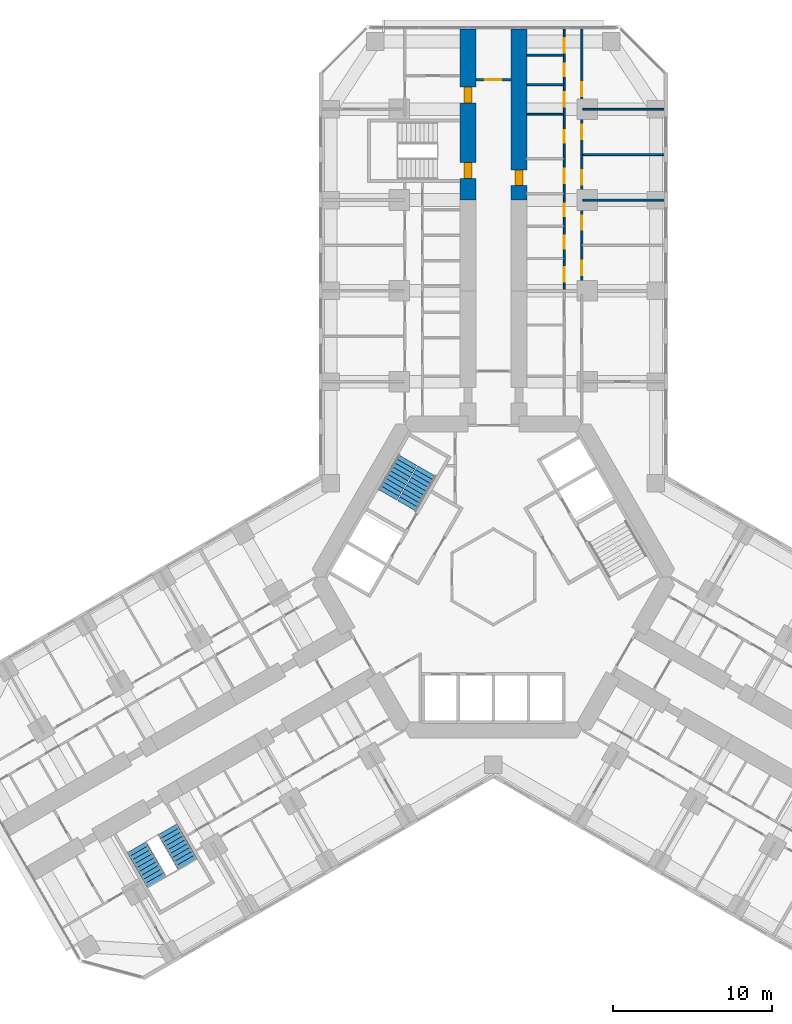
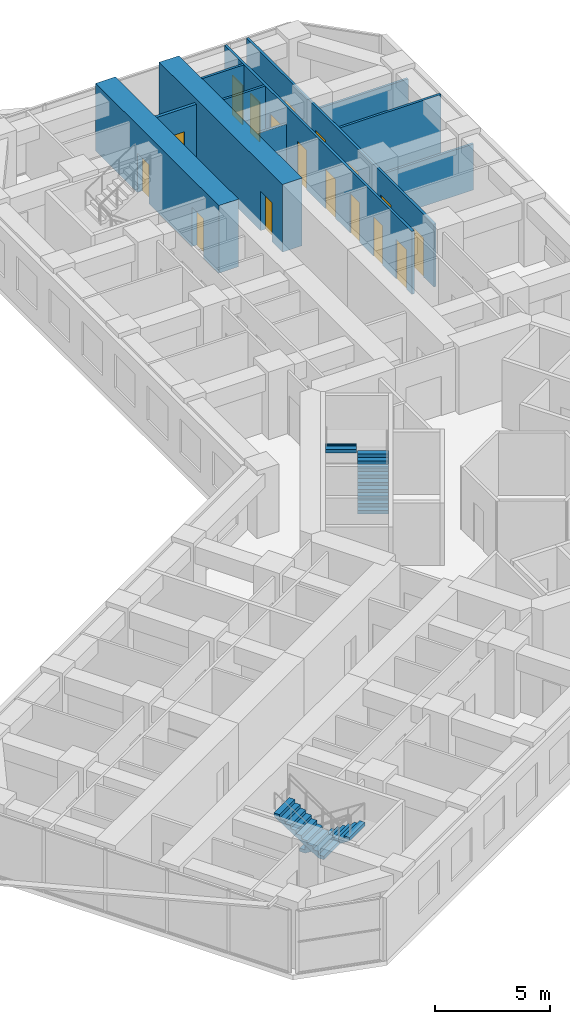
# One storey, part 19 of 21: 17 doors, 11 walls, 4 stair flights, 17 openings, 2 elements without a shape of their own.
"""IFC4 building model written with IfcOpenShell, lengths in metres."""

from ifc_helpers import new_model, si_unit, direction, frame, frame_2d, origin, place, context, subcontext, project, spatial, polyline, rectangle, outline, extrude, material, layer, layer_set, type_object, element, fill, aggregate, save


model = new_model("IFC4")

# Units and contexts
model_context = context("Model", 3, precision=1e-05, world=origin(), true_north=direction((0.0, 1.0)))
body_context = subcontext(model_context, "Body", "Model", "MODEL_VIEW")
ifc_project = project(units=[si_unit("LENGTHUNIT", "METRE"), si_unit("AREAUNIT", "SQUARE_METRE"), si_unit("VOLUMEUNIT", "CUBIC_METRE"), si_unit("PLANEANGLEUNIT", "RADIAN"), si_unit("MASSUNIT", "GRAM", prefix="KILO")], contexts=[model_context])

# Site, building, storey
site_placement = place(None, origin())
site = spatial("IfcSite", under=ifc_project, at=site_placement, CompositionType="ELEMENT")
building_placement = place(site_placement, origin())
building = spatial("IfcBuilding", under=site, at=building_placement, Name="Kosmar Iwan School Tower", CompositionType="ELEMENT")
storey_placement = place(building_placement, frame((0.0, 0.0, 39.39990234375)))
storey = spatial("IfcBuildingStorey", under=building, at=storey_placement, Name="L08", CompositionType="ELEMENT", Elevation=39.39990234375)

# Wall, openings, doors
ifc_material_1 = material(Name="Concrete C50/60", Category="concrete")
ifc_layer_1 = layer(ifc_material_1, 1.0)
ifc_layer_set_1 = layer_set([ifc_layer_1], Name="Corridor buttress wall 1000")
wall_type_1 = type_object("IfcWallType", Name="Corridor buttress wall 1000", PredefinedType="SHEAR", material=ifc_layer_set_1)
wall_1_placement = place(storey_placement, frame((-1.60009765625, 23.64990234375, 0.0), z_axis=(0.0, 0.0, 1.0), x_axis=(0.0, 1.0, 0.0)))
wall_1 = element("IfcWall", 1, at=wall_1_placement, inside=storey, type_object=wall_type_1, Name="Corridor wall AL bay 3", PredefinedType="SHEAR", context=body_context, shape_type="SweptSolid", body=[
    extrude(rectangle(XDim=10.7451171875, YDim=1.0, at=frame_2d((5.37255859375, 0.0))), origin(), (0.0, 0.0, 1.0), 3.60009765625),
])
opening_1_placement = place(wall_1_placement, frame((6.10009765625, 0.0, 0.0)))
opening_1 = element("IfcOpeningElement", 2, at=opening_1_placement, cuts=wall_1, Name="Opening D1", PredefinedType="OPENING", context=body_context, shape_type="SweptSolid", body=[
    extrude(rectangle(XDim=1.0, YDim=2.10009765625, at=frame_2d((0.5, 1.050048828125))), frame((0.0, 0.511962890625, 0.0), z_axis=(0.0, -1.0, 0.0), x_axis=(1.0, 0.0, 0.0)), (0.0, 0.0, 1.0), 1.02392578125),
])
opening_2_placement = place(wall_1_placement, frame((1.35009765625, 0.0, 0.0)))
opening_2 = element("IfcOpeningElement", 3, at=opening_2_placement, cuts=wall_1, Name="Opening D6", PredefinedType="OPENING", context=body_context, shape_type="SweptSolid", body=[
    extrude(rectangle(XDim=1.0, YDim=2.10009765625, at=frame_2d((0.5, 1.050048828125))), frame((0.0, 0.511962890625, 0.0), z_axis=(0.0, -1.0, 0.0), x_axis=(1.0, 0.0, 0.0)), (0.0, 0.0, 1.0), 1.02392578125),
])
ifc_material_2 = material(Name="Timber fire door in steel frame", Category="steel")
door_type_1 = type_object("IfcDoorType", Name="Flat entrance door 1000x2100", OperationType="SINGLE_SWING_LEFT", PredefinedType="DOOR", material=ifc_material_2)
door_1_placement = place(opening_1_placement, origin())
door_1 = element("IfcDoor", 4, at=door_1_placement, inside=storey, type_object=door_type_1, Name="Flat L08-AL2 entrance door", OperationType="SINGLE_SWING_RIGHT", OverallHeight=2.10009765625, OverallWidth=1.0, PredefinedType="DOOR", context=body_context, shape_type="SweptSolid", body=[
    extrude(rectangle(XDim=1.0, YDim=2.10009765625, at=frame_2d((0.5, 1.050048828125))), frame((0.0, 0.25, 0.0), z_axis=(0.0, -1.0, 0.0), x_axis=(1.0, 0.0, 0.0)), (0.0, 0.0, 1.0), 0.5),
])
fill(opening_1, door_1)
ifc_material_3 = material(Name="Steel fire door", Category="steel")
door_type_2 = type_object("IfcDoorType", Name="Stair door 1000x2100", OperationType="SINGLE_SWING_LEFT", PredefinedType="DOOR", material=ifc_material_3)
door_2_placement = place(opening_2_placement, origin())
door_2 = element("IfcDoor", 5, at=door_2_placement, inside=storey, type_object=door_type_2, Name="Stair WS1 door L08", OperationType="SINGLE_SWING_LEFT", OverallHeight=2.10009765625, OverallWidth=1.0, PredefinedType="DOOR", context=body_context, shape_type="SweptSolid", body=[
    extrude(rectangle(XDim=1.0, YDim=2.10009765625, at=frame_2d((0.5, 1.050048828125))), frame((0.0, 0.25, 0.0), z_axis=(0.0, -1.0, 0.0), x_axis=(1.0, 0.0, 0.0)), (0.0, 0.0, 1.0), 0.5),
])
fill(opening_2, door_2)

# Wall, opening, door
wall_2_placement = place(storey_placement, frame((1.60009765625, 23.64990234375, 0.0), z_axis=(0.0, 0.0, 1.0), x_axis=(0.0, 1.0, 0.0)))
wall_2 = element("IfcWall", 6, at=wall_2_placement, inside=storey, type_object=wall_type_1, Name="Corridor wall AR bay 3", PredefinedType="SHEAR", context=body_context, shape_type="SweptSolid", body=[
    extrude(rectangle(XDim=10.7451171875, YDim=1.0, at=frame_2d((5.37255859375, 0.0))), origin(), (0.0, 0.0, 1.0), 3.60009765625),
])
opening_3_placement = place(wall_2_placement, frame((0.89990234375, 0.0, 0.0)))
opening_3 = element("IfcOpeningElement", 7, at=opening_3_placement, cuts=wall_2, Name="Opening D1", PredefinedType="OPENING", context=body_context, shape_type="SweptSolid", body=[
    extrude(rectangle(XDim=1.0, YDim=2.10009765625, at=frame_2d((0.5, 1.050048828125))), frame((0.0, 0.511962890625, 0.0), z_axis=(0.0, -1.0, 0.0), x_axis=(1.0, 0.0, 0.0)), (0.0, 0.0, 1.0), 1.02392578125),
])
door_3_placement = place(opening_3_placement, origin())
door_3 = element("IfcDoor", 8, at=door_3_placement, inside=storey, type_object=door_type_1, Name="Flat L08-AR2 entrance door", OperationType="SINGLE_SWING_LEFT", OverallHeight=2.10009765625, OverallWidth=1.0, PredefinedType="DOOR", context=body_context, shape_type="SweptSolid", body=[
    extrude(rectangle(XDim=1.0, YDim=2.10009765625, at=frame_2d((0.5, 1.050048828125))), frame((0.0, 0.25, 0.0), z_axis=(0.0, -1.0, 0.0), x_axis=(1.0, 0.0, 0.0)), (0.0, 0.0, 1.0), 0.5),
])
fill(opening_3, door_3)

ifc_material_4 = material(Name="Gypsum board on steel studs, fire-rated", Category="steel")
ifc_layer_2 = layer(ifc_material_4, 0.14990234375)
ifc_layer_set_2 = layer_set([ifc_layer_2], Name="Corridor end wall 150")
wall_type_2 = type_object("IfcWallType", Name="Corridor end wall 150", PredefinedType="PARTITIONING", material=ifc_layer_set_2)
wall_3_placement = place(storey_placement, frame((1.10009765625, 31.199951171875, 0.0), z_axis=(0.0, 0.0, 1.0), x_axis=(-1.0, 0.0, 0.0)))
wall_3 = element("IfcWall", 9, at=wall_3_placement, inside=storey, type_object=wall_type_2, Name="Partition L08-A-CE", PredefinedType="PARTITIONING", context=body_context, shape_type="SweptSolid", body=[
    extrude(rectangle(XDim=2.2001953125, YDim=0.14990234375, at=frame_2d((1.10009765625, 0.0))), origin(), (0.0, 0.0, 1.0), 3.35009765625),
])
opening_4_placement = place(wall_3_placement, frame((0.60009765625, 0.0, 0.0)))
opening_4 = element("IfcOpeningElement", 10, at=opening_4_placement, cuts=wall_3, Name="Opening D13", PredefinedType="OPENING", context=body_context, shape_type="SweptSolid", body=[
    extrude(rectangle(XDim=1.0, YDim=2.10009765625, at=frame_2d((0.5, 1.050048828125))), frame((0.0, 0.0869140625, 0.0), z_axis=(0.0, -1.0, 0.0), x_axis=(1.0, 0.0, 0.0)), (0.0, 0.0, 1.0), 0.173828125),
])
ifc_material_5 = material(Name="Timber fire door with vision panel", Category="wood")
door_type_3 = type_object("IfcDoorType", Name="Corridor end door 1000x2100", OperationType="SINGLE_SWING_LEFT", PredefinedType="DOOR", material=ifc_material_5)
door_4_placement = place(opening_4_placement, origin())
door_4 = element("IfcDoor", 11, at=door_4_placement, inside=storey, type_object=door_type_3, Name="Family study room door L08-A", OperationType="SINGLE_SWING_LEFT", OverallHeight=2.10009765625, OverallWidth=1.0, PredefinedType="DOOR", context=body_context, shape_type="SweptSolid", body=[
    extrude(rectangle(XDim=1.0, YDim=2.10009765625, at=frame_2d((0.5, 1.050048828125))), frame((0.0, 0.02490234375, 0.0), z_axis=(0.0, -1.0, 0.0), x_axis=(1.0, 0.0, 0.0)), (0.0, 0.0, 1.0), 0.050048828125),
])
fill(opening_4, door_4)

# Wall, openings, doors
ifc_material_6 = material(Name="Gypsum board on steel studs", Category="steel")
ifc_layer_3 = layer(ifc_material_6, 0.1201171875)
ifc_layer_set_3 = layer_set([ifc_layer_3], Name="Dwelling partition 120")
wall_type_3 = type_object("IfcWallType", Name="Dwelling partition 120", PredefinedType="PARTITIONING", material=ifc_layer_set_3)
wall_4_placement = place(storey_placement, frame((4.449951171875, 18.050048828125, 0.0), z_axis=(0.0, 0.0, 1.0), x_axis=(0.0, 1.0, 0.0)))
wall_4 = element("IfcWall", 12, at=wall_4_placement, inside=storey, type_object=wall_type_3, Name="Partition L08-AR2-W1", PredefinedType="PARTITIONING", context=body_context, shape_type="SweptSolid", body=[
    extrude(rectangle(XDim=16.344970703125, YDim=0.1201171875, at=frame_2d((8.17236328125, 0.0))), origin(), (0.0, 0.0, 1.0), 3.35009765625),
])
opening_5_placement = place(wall_4_placement, frame((0.466796875, 0.0, 0.0)))
opening_5 = element("IfcOpeningElement", 13, at=opening_5_placement, cuts=wall_4, Name="Opening D2", PredefinedType="OPENING", context=body_context, shape_type="SweptSolid", body=[
    extrude(rectangle(XDim=0.89990234375, YDim=2.10009765625, at=frame_2d((0.449951171875, 1.050048828125))), frame((0.0, 0.072021484375, 0.0), z_axis=(0.0, -1.0, 0.0), x_axis=(1.0, 0.0, 0.0)), (0.0, 0.0, 1.0), 0.14404296875),
])
opening_6_placement = place(wall_4_placement, frame((2.550048828125, 0.0, 0.0)))
opening_6 = element("IfcOpeningElement", 14, at=opening_6_placement, cuts=wall_4, Name="Opening D3", PredefinedType="OPENING", context=body_context, shape_type="SweptSolid", body=[
    extrude(rectangle(XDim=0.800048828125, YDim=2.10009765625, at=frame_2d((0.39990234375, 1.050048828125))), frame((0.0, 0.072021484375, 0.0), z_axis=(0.0, -1.0, 0.0), x_axis=(1.0, 0.0, 0.0)), (0.0, 0.0, 1.0), 0.14404296875),
])
opening_7_placement = place(wall_4_placement, frame((4.583251953125, 0.0, 0.0)))
opening_7 = element("IfcOpeningElement", 15, at=opening_7_placement, cuts=wall_4, Name="Opening D3", PredefinedType="OPENING", context=body_context, shape_type="SweptSolid", body=[
    extrude(rectangle(XDim=0.800048828125, YDim=2.10009765625, at=frame_2d((0.39990234375, 1.050048828125))), frame((0.0, 0.072021484375, 0.0), z_axis=(0.0, -1.0, 0.0), x_axis=(1.0, 0.0, 0.0)), (0.0, 0.0, 1.0), 0.14404296875),
])
opening_8_placement = place(wall_4_placement, frame((6.64990234375, 0.0, 0.0)))
opening_8 = element("IfcOpeningElement", 16, at=opening_8_placement, cuts=wall_4, Name="Opening D2", PredefinedType="OPENING", context=body_context, shape_type="SweptSolid", body=[
    extrude(rectangle(XDim=0.89990234375, YDim=2.10009765625, at=frame_2d((0.449951171875, 1.050048828125))), frame((0.0, 0.072021484375, 0.0), z_axis=(0.0, -1.0, 0.0), x_axis=(1.0, 0.0, 0.0)), (0.0, 0.0, 1.0), 0.14404296875),
])
opening_9_placement = place(wall_4_placement, frame((9.191650390625, 0.0, 0.0)))
opening_9 = element("IfcOpeningElement", 17, at=opening_9_placement, cuts=wall_4, Name="Opening D3", PredefinedType="OPENING", context=body_context, shape_type="SweptSolid", body=[
    extrude(rectangle(XDim=0.800048828125, YDim=2.10009765625, at=frame_2d((0.39990234375, 1.050048828125))), frame((0.0, 0.072021484375, 0.0), z_axis=(0.0, -1.0, 0.0), x_axis=(1.0, 0.0, 0.0)), (0.0, 0.0, 1.0), 0.14404296875),
])
opening_10_placement = place(wall_4_placement, frame((11.461181640625, 0.0, 0.0)))
opening_10 = element("IfcOpeningElement", 18, at=opening_10_placement, cuts=wall_4, Name="Opening D2", PredefinedType="OPENING", context=body_context, shape_type="SweptSolid", body=[
    extrude(rectangle(XDim=0.89990234375, YDim=2.10009765625, at=frame_2d((0.449951171875, 1.050048828125))), frame((0.0, 0.072021484375, 0.0), z_axis=(0.0, -1.0, 0.0), x_axis=(1.0, 0.0, 0.0)), (0.0, 0.0, 1.0), 0.14404296875),
])
opening_11_placement = place(wall_4_placement, frame((13.36669921875, 0.0, 0.0)))
opening_11 = element("IfcOpeningElement", 19, at=opening_11_placement, cuts=wall_4, Name="Opening D3", PredefinedType="OPENING", context=body_context, shape_type="SweptSolid", body=[
    extrude(rectangle(XDim=0.800048828125, YDim=2.10009765625, at=frame_2d((0.39990234375, 1.050048828125))), frame((0.0, 0.072021484375, 0.0), z_axis=(0.0, -1.0, 0.0), x_axis=(1.0, 0.0, 0.0)), (0.0, 0.0, 1.0), 0.14404296875),
])
opening_12_placement = place(wall_4_placement, frame((14.8544921875, 0.0, 0.0)))
opening_12 = element("IfcOpeningElement", 20, at=opening_12_placement, cuts=wall_4, Name="Opening D2", PredefinedType="OPENING", context=body_context, shape_type="SweptSolid", body=[
    extrude(rectangle(XDim=0.89990234375, YDim=2.10009765625, at=frame_2d((0.449951171875, 1.050048828125))), frame((0.0, 0.072021484375, 0.0), z_axis=(0.0, -1.0, 0.0), x_axis=(1.0, 0.0, 0.0)), (0.0, 0.0, 1.0), 0.14404296875),
])
ifc_material_7 = material(Name="Timber door in timber frame", Category="wood")
door_type_4 = type_object("IfcDoorType", Name="Internal door 900x2100", OperationType="SINGLE_SWING_LEFT", PredefinedType="DOOR", material=ifc_material_7)
door_5_placement = place(opening_5_placement, origin())
door_5 = element("IfcDoor", 21, at=door_5_placement, inside=storey, type_object=door_type_4, Name="Utility room door L08-AR2-S1", OperationType="SINGLE_SWING_LEFT", OverallHeight=2.10009765625, OverallWidth=0.89990234375, PredefinedType="DOOR", context=body_context, shape_type="SweptSolid", body=[
    extrude(rectangle(XDim=0.89990234375, YDim=2.10009765625, at=frame_2d((0.449951171875, 1.050048828125))), frame((0.0, 0.02490234375, 0.0), z_axis=(0.0, -1.0, 0.0), x_axis=(1.0, 0.0, 0.0)), (0.0, 0.0, 1.0), 0.050048828125),
])
fill(opening_5, door_5)
door_6_placement = place(opening_8_placement, origin())
door_6 = element("IfcDoor", 22, at=door_6_placement, inside=storey, type_object=door_type_4, Name="Entrance hall door L08-AR2-S4", OperationType="SINGLE_SWING_RIGHT", OverallHeight=2.10009765625, OverallWidth=0.89990234375, PredefinedType="DOOR", context=body_context, shape_type="SweptSolid", body=[
    extrude(rectangle(XDim=0.89990234375, YDim=2.10009765625, at=frame_2d((0.449951171875, 1.050048828125))), frame((0.0, 0.02490234375, 0.0), z_axis=(0.0, -1.0, 0.0), x_axis=(1.0, 0.0, 0.0)), (0.0, 0.0, 1.0), 0.050048828125),
])
fill(opening_8, door_6)
door_7_placement = place(opening_10_placement, origin())
door_7 = element("IfcDoor", 23, at=door_7_placement, inside=storey, type_object=door_type_4, Name="Pantry door L08-AR2-S6", OperationType="SINGLE_SWING_RIGHT", OverallHeight=2.10009765625, OverallWidth=0.89990234375, PredefinedType="DOOR", context=body_context, shape_type="SweptSolid", body=[
    extrude(rectangle(XDim=0.89990234375, YDim=2.10009765625, at=frame_2d((0.449951171875, 1.050048828125))), frame((0.0, 0.02490234375, 0.0), z_axis=(0.0, -1.0, 0.0), x_axis=(1.0, 0.0, 0.0)), (0.0, 0.0, 1.0), 0.050048828125),
])
fill(opening_10, door_7)
door_8_placement = place(opening_12_placement, origin())
door_8 = element("IfcDoor", 24, at=door_8_placement, inside=storey, type_object=door_type_4, Name="Dressing room door L08-AR2-S8", OperationType="SINGLE_SWING_LEFT", OverallHeight=2.10009765625, OverallWidth=0.89990234375, PredefinedType="DOOR", context=body_context, shape_type="SweptSolid", body=[
    extrude(rectangle(XDim=0.89990234375, YDim=2.10009765625, at=frame_2d((0.449951171875, 1.050048828125))), frame((0.0, 0.02490234375, 0.0), z_axis=(0.0, -1.0, 0.0), x_axis=(1.0, 0.0, 0.0)), (0.0, 0.0, 1.0), 0.050048828125),
])
fill(opening_12, door_8)
ifc_material_8 = material(Name="Timber door in timber frame", Category="wood")
door_type_5 = type_object("IfcDoorType", Name="Sanitary room door 800x2100", OperationType="SINGLE_SWING_LEFT", PredefinedType="DOOR", material=ifc_material_8)
door_9_placement = place(opening_6_placement, origin())
door_9 = element("IfcDoor", 25, at=door_9_placement, inside=storey, type_object=door_type_5, Name="WC door L08-AR2-S2", OperationType="SINGLE_SWING_RIGHT", OverallHeight=2.10009765625, OverallWidth=0.800048828125, PredefinedType="DOOR", context=body_context, shape_type="SweptSolid", body=[
    extrude(rectangle(XDim=0.800048828125, YDim=2.10009765625, at=frame_2d((0.39990234375, 1.050048828125))), frame((0.0, 0.02490234375, 0.0), z_axis=(0.0, -1.0, 0.0), x_axis=(1.0, 0.0, 0.0)), (0.0, 0.0, 1.0), 0.050048828125),
])
fill(opening_6, door_9)
door_10_placement = place(opening_7_placement, origin())
door_10 = element("IfcDoor", 26, at=door_10_placement, inside=storey, type_object=door_type_5, Name="Shower room door L08-AR2-S3", OperationType="SINGLE_SWING_LEFT", OverallHeight=2.10009765625, OverallWidth=0.800048828125, PredefinedType="DOOR", context=body_context, shape_type="SweptSolid", body=[
    extrude(rectangle(XDim=0.800048828125, YDim=2.10009765625, at=frame_2d((0.39990234375, 1.050048828125))), frame((0.0, 0.02490234375, 0.0), z_axis=(0.0, -1.0, 0.0), x_axis=(1.0, 0.0, 0.0)), (0.0, 0.0, 1.0), 0.050048828125),
])
fill(opening_7, door_10)
door_11_placement = place(opening_9_placement, origin())
door_11 = element("IfcDoor", 27, at=door_11_placement, inside=storey, type_object=door_type_5, Name="Bathroom door L08-AR2-S5", OperationType="SINGLE_SWING_LEFT", OverallHeight=2.10009765625, OverallWidth=0.800048828125, PredefinedType="DOOR", context=body_context, shape_type="SweptSolid", body=[
    extrude(rectangle(XDim=0.800048828125, YDim=2.10009765625, at=frame_2d((0.39990234375, 1.050048828125))), frame((0.0, 0.02490234375, 0.0), z_axis=(0.0, -1.0, 0.0), x_axis=(1.0, 0.0, 0.0)), (0.0, 0.0, 1.0), 0.050048828125),
])
fill(opening_9, door_11)
door_12_placement = place(opening_11_placement, origin())
door_12 = element("IfcDoor", 28, at=door_12_placement, inside=storey, type_object=door_type_5, Name="Store door L08-AR2-S7", OperationType="SINGLE_SWING_LEFT", OverallHeight=2.10009765625, OverallWidth=0.800048828125, PredefinedType="DOOR", context=body_context, shape_type="SweptSolid", body=[
    extrude(rectangle(XDim=0.800048828125, YDim=2.10009765625, at=frame_2d((0.39990234375, 1.050048828125))), frame((0.0, 0.02490234375, 0.0), z_axis=(0.0, -1.0, 0.0), x_axis=(1.0, 0.0, 0.0)), (0.0, 0.0, 1.0), 0.050048828125),
])
fill(opening_11, door_12)

wall_5_placement = place(storey_placement, frame((5.550048828125, 18.050048828125, 0.0), z_axis=(0.0, 0.0, 1.0), x_axis=(0.0, 1.0, 0.0)))
wall_5 = element("IfcWall", 29, at=wall_5_placement, inside=storey, type_object=wall_type_3, Name="Partition L08-AR2-W2", PredefinedType="PARTITIONING", context=body_context, shape_type="SweptSolid", body=[
    extrude(rectangle(XDim=16.344970703125, YDim=0.1201171875, at=frame_2d((8.17236328125, 0.0))), origin(), (0.0, 0.0, 1.0), 3.35009765625),
])
opening_13_placement = place(wall_5_placement, frame((0.875, 0.0, 0.0)))
opening_13 = element("IfcOpeningElement", 30, at=opening_13_placement, cuts=wall_5, Name="Opening D2", PredefinedType="OPENING", context=body_context, shape_type="SweptSolid", body=[
    extrude(rectangle(XDim=0.89990234375, YDim=2.10009765625, at=frame_2d((0.449951171875, 1.050048828125))), frame((0.0, 0.072021484375, 0.0), z_axis=(0.0, -1.0, 0.0), x_axis=(1.0, 0.0, 0.0)), (0.0, 0.0, 1.0), 0.14404296875),
])
opening_14_placement = place(wall_5_placement, frame((3.72509765625, 0.0, 0.0)))
opening_14 = element("IfcOpeningElement", 31, at=opening_14_placement, cuts=wall_5, Name="Opening D2", PredefinedType="OPENING", context=body_context, shape_type="SweptSolid", body=[
    extrude(rectangle(XDim=0.89990234375, YDim=2.10009765625, at=frame_2d((0.449951171875, 1.050048828125))), frame((0.0, 0.072021484375, 0.0), z_axis=(0.0, -1.0, 0.0), x_axis=(1.0, 0.0, 0.0)), (0.0, 0.0, 1.0), 0.14404296875),
])
opening_15_placement = place(wall_5_placement, frame((6.574951171875, 0.0, 0.0)))
opening_15 = element("IfcOpeningElement", 32, at=opening_15_placement, cuts=wall_5, Name="Opening D2", PredefinedType="OPENING", context=body_context, shape_type="SweptSolid", body=[
    extrude(rectangle(XDim=0.89990234375, YDim=2.10009765625, at=frame_2d((0.449951171875, 1.050048828125))), frame((0.0, 0.072021484375, 0.0), z_axis=(0.0, -1.0, 0.0), x_axis=(1.0, 0.0, 0.0)), (0.0, 0.0, 1.0), 0.14404296875),
])
opening_16_placement = place(wall_5_placement, frame((9.425048828125, 0.0, 0.0)))
opening_16 = element("IfcOpeningElement", 33, at=opening_16_placement, cuts=wall_5, Name="Opening D2", PredefinedType="OPENING", context=body_context, shape_type="SweptSolid", body=[
    extrude(rectangle(XDim=0.89990234375, YDim=2.10009765625, at=frame_2d((0.449951171875, 1.050048828125))), frame((0.0, 0.072021484375, 0.0), z_axis=(0.0, -1.0, 0.0), x_axis=(1.0, 0.0, 0.0)), (0.0, 0.0, 1.0), 0.14404296875),
])
opening_17_placement = place(wall_5_placement, frame((12.10009765625, 0.0, 0.0)))
opening_17 = element("IfcOpeningElement", 34, at=opening_17_placement, cuts=wall_5, Name="Opening D2", PredefinedType="OPENING", context=body_context, shape_type="SweptSolid", body=[
    extrude(rectangle(XDim=0.89990234375, YDim=2.10009765625, at=frame_2d((0.449951171875, 1.050048828125))), frame((0.0, 0.072021484375, 0.0), z_axis=(0.0, -1.0, 0.0), x_axis=(1.0, 0.0, 0.0)), (0.0, 0.0, 1.0), 0.14404296875),
])
door_13_placement = place(opening_13_placement, origin())
door_13 = element("IfcDoor", 35, at=door_13_placement, inside=storey, type_object=door_type_4, Name="Bedroom 1 door L08-AR2-F1", OperationType="SINGLE_SWING_LEFT", OverallHeight=2.10009765625, OverallWidth=0.89990234375, PredefinedType="DOOR", context=body_context, shape_type="SweptSolid", body=[
    extrude(rectangle(XDim=0.89990234375, YDim=2.10009765625, at=frame_2d((0.449951171875, 1.050048828125))), frame((0.0, 0.02490234375, 0.0), z_axis=(0.0, -1.0, 0.0), x_axis=(1.0, 0.0, 0.0)), (0.0, 0.0, 1.0), 0.050048828125),
])
fill(opening_13, door_13)
door_14_placement = place(opening_14_placement, origin())
door_14 = element("IfcDoor", 36, at=door_14_placement, inside=storey, type_object=door_type_4, Name="Bedroom 2 door L08-AR2-F2", OperationType="SINGLE_SWING_LEFT", OverallHeight=2.10009765625, OverallWidth=0.89990234375, PredefinedType="DOOR", context=body_context, shape_type="SweptSolid", body=[
    extrude(rectangle(XDim=0.89990234375, YDim=2.10009765625, at=frame_2d((0.449951171875, 1.050048828125))), frame((0.0, 0.02490234375, 0.0), z_axis=(0.0, -1.0, 0.0), x_axis=(1.0, 0.0, 0.0)), (0.0, 0.0, 1.0), 0.050048828125),
])
fill(opening_14, door_14)
door_15_placement = place(opening_15_placement, origin())
door_15 = element("IfcDoor", 37, at=door_15_placement, inside=storey, type_object=door_type_4, Name="Bedroom 3 door L08-AR2-F3", OperationType="SINGLE_SWING_LEFT", OverallHeight=2.10009765625, OverallWidth=0.89990234375, PredefinedType="DOOR", context=body_context, shape_type="SweptSolid", body=[
    extrude(rectangle(XDim=0.89990234375, YDim=2.10009765625, at=frame_2d((0.449951171875, 1.050048828125))), frame((0.0, 0.02490234375, 0.0), z_axis=(0.0, -1.0, 0.0), x_axis=(1.0, 0.0, 0.0)), (0.0, 0.0, 1.0), 0.050048828125),
])
fill(opening_15, door_15)
door_16_placement = place(opening_16_placement, origin())
door_16 = element("IfcDoor", 38, at=door_16_placement, inside=storey, type_object=door_type_4, Name="Study door L08-AR2-F4", OperationType="SINGLE_SWING_RIGHT", OverallHeight=2.10009765625, OverallWidth=0.89990234375, PredefinedType="DOOR", context=body_context, shape_type="SweptSolid", body=[
    extrude(rectangle(XDim=0.89990234375, YDim=2.10009765625, at=frame_2d((0.449951171875, 1.050048828125))), frame((0.0, 0.02490234375, 0.0), z_axis=(0.0, -1.0, 0.0), x_axis=(1.0, 0.0, 0.0)), (0.0, 0.0, 1.0), 0.050048828125),
])
fill(opening_16, door_16)
door_17_placement = place(opening_17_placement, origin())
door_17 = element("IfcDoor", 39, at=door_17_placement, inside=storey, type_object=door_type_4, Name="Living room and kitchen door L08-AR2-F5", OperationType="SINGLE_SWING_RIGHT", OverallHeight=2.10009765625, OverallWidth=0.89990234375, PredefinedType="DOOR", context=body_context, shape_type="SweptSolid", body=[
    extrude(rectangle(XDim=0.89990234375, YDim=2.10009765625, at=frame_2d((0.449951171875, 1.050048828125))), frame((0.0, 0.02490234375, 0.0), z_axis=(0.0, -1.0, 0.0), x_axis=(1.0, 0.0, 0.0)), (0.0, 0.0, 1.0), 0.050048828125),
])
fill(opening_17, door_17)

# Walls
wall_6_placement = place(storey_placement, frame((5.610107421875, 23.64990234375, 0.0), z_axis=(0.0, 0.0, 1.0), x_axis=(1.0, 0.0, 0.0)))
element("IfcWall", 40, at=wall_6_placement, inside=storey, type_object=wall_type_3, Name="Partition L08-AR2-X2", PredefinedType="PARTITIONING", context=body_context, shape_type="SweptSolid", body=[
    extrude(rectangle(XDim=5.08984375, YDim=0.1201171875, at=frame_2d((2.544921875, 0.0))), origin(), (0.0, 0.0, 1.0), 2.4501953125),
])
wall_7_placement = place(storey_placement, frame((5.610107421875, 26.5, 0.0), z_axis=(0.0, 0.0, 1.0), x_axis=(1.0, 0.0, 0.0)))
element("IfcWall", 41, at=wall_7_placement, inside=storey, type_object=wall_type_3, Name="Partition L08-AR2-X3", PredefinedType="PARTITIONING", context=body_context, shape_type="SweptSolid", body=[
    extrude(rectangle(XDim=5.08984375, YDim=0.1201171875, at=frame_2d((2.544921875, 0.0))), origin(), (0.0, 0.0, 1.0), 3.35009765625),
])
wall_8_placement = place(storey_placement, frame((5.610107421875, 29.35009765625, 0.0), z_axis=(0.0, 0.0, 1.0), x_axis=(1.0, 0.0, 0.0)))
element("IfcWall", 42, at=wall_8_placement, inside=storey, type_object=wall_type_3, Name="Partition L08-AR2-X4", PredefinedType="PARTITIONING", context=body_context, shape_type="SweptSolid", body=[
    extrude(rectangle(XDim=5.08984375, YDim=0.1201171875, at=frame_2d((2.544921875, 0.0))), origin(), (0.0, 0.0, 1.0), 2.4501953125),
])
wall_9_placement = place(storey_placement, frame((2.10009765625, 29.033447265625, 0.0), z_axis=(0.0, 0.0, 1.0), x_axis=(1.0, 0.0, 0.0)))
element("IfcWall", 43, at=wall_9_placement, inside=storey, type_object=wall_type_3, Name="Partition L08-AR2-Y5", PredefinedType="PARTITIONING", context=body_context, shape_type="SweptSolid", body=[
    extrude(rectangle(XDim=2.289794921875, YDim=0.1201171875, at=frame_2d((1.14501953125, 0.0))), origin(), (0.0, 0.0, 1.0), 2.4501953125),
])
for number, where, z_axis, x_axis, name in (
    (44, (2.10009765625, 30.888916015625, 0.0), (0.0, 0.0, 1.0), (1.0, 0.0, 0.0), "Partition L08-AR2-Y6"),
    (45, (2.10009765625, 32.744384765625, 0.0), (0.0, 0.0, 1.0), (1.0, 0.0, 0.0), "Partition L08-AR2-Y7"),
):
    element("IfcWall", number, at=place(storey_placement, frame(where, z_axis=z_axis, x_axis=x_axis)), inside=storey, type_object=wall_type_3, Name=name, PredefinedType="PARTITIONING", context=body_context, shape_type="SweptSolid", body=[
        extrude(rectangle(XDim=2.289794921875, YDim=0.1201171875, at=frame_2d((1.14501953125, 0.0))), origin(), (0.0, 0.0, 1.0), 3.35009765625),
    ])

# Stair, stair flights
ifc_material_9 = material(Name="Concrete C35/45", Category="concrete")
stair_type_1 = type_object("IfcStairType", Name="Escape stair 3600", PredefinedType="HALF_TURN_STAIR", material=ifc_material_9)
stair_1_placement = place(storey_placement, origin())
stair_1 = element("IfcStair", 46, at=stair_1_placement, inside=storey, type_object=stair_type_1, Name="Stair WS2 L08", PredefinedType="HALF_TURN_STAIR")
ifc_material_10 = material(Name="Concrete C35/45", Category="concrete")
stair_flight_type_1 = type_object("IfcStairFlightType", Name="Escape stair flight 1350", PredefinedType="STRAIGHT", material=ifc_material_10)
stair_flight_1_placement = place(storey_placement, frame((-20.44189453125, -15.843505859375, 0.0), z_axis=(0.0, 0.0, 1.0), x_axis=(0.5, -0.866025403784, 0.0)))
stair_flight_1 = element("IfcStairFlight", 47, at=stair_flight_1_placement, type_object=stair_flight_type_1, Name="WS2 flight 1", NumberOfRisers=10, NumberOfTreads=9, PredefinedType="STRAIGHT", RiserHeight=0.18, TreadLength=0.28, context=body_context, shape_type="SweptSolid", body=[
    extrude(outline(polyline([(0.0, 0.0), (0.0, 0.179931640625), (0.280029296875, 0.179931640625), (0.280029296875, 0.360107421875), (0.56005859375, 0.360107421875), (0.56005859375, 0.5400390625), (0.840087890625, 0.5400390625), (0.840087890625, 0.719970703125), (1.1201171875, 0.719970703125), (1.1201171875, 0.89990234375), (1.39990234375, 0.89990234375), (1.39990234375, 1.080078125), (1.679931640625, 1.080078125), (1.679931640625, 1.260009765625), (1.9599609375, 1.260009765625), (1.9599609375, 1.43994140625), (2.239990234375, 1.43994140625), (2.239990234375, 1.6201171875), (2.52001953125, 1.6201171875), (2.52001953125, 1.800048828125), (2.52001953125, 1.44189453125), (0.277099609375, 0.0), (0.0, 0.0)])), frame((0.0, 0.675048828125, 0.0), z_axis=(0.0, -1.0, 0.0), x_axis=(1.0, 0.0, 0.0)), (0.0, 0.0, 1.0), 1.35009765625),
])
stair_flight_2_placement = place(storey_placement, frame((-21.13037109375, -19.15087890625, 1.800048828125), z_axis=(0.0, 0.0, 1.0), x_axis=(-0.5, 0.866025403784, 0.0)))
stair_flight_2 = element("IfcStairFlight", 48, at=stair_flight_2_placement, type_object=stair_flight_type_1, Name="WS2 flight 2", NumberOfRisers=10, NumberOfTreads=9, PredefinedType="STRAIGHT", RiserHeight=0.18, TreadLength=0.28, context=body_context, shape_type="SweptSolid", body=[
    extrude(outline(polyline([(0.0, 0.0), (0.0, 0.179931640625), (0.280029296875, 0.179931640625), (0.280029296875, 0.360107421875), (0.56005859375, 0.360107421875), (0.56005859375, 0.5400390625), (0.840087890625, 0.5400390625), (0.840087890625, 0.719970703125), (1.1201171875, 0.719970703125), (1.1201171875, 0.89990234375), (1.39990234375, 0.89990234375), (1.39990234375, 1.080078125), (1.679931640625, 1.080078125), (1.679931640625, 1.260009765625), (1.9599609375, 1.260009765625), (1.9599609375, 1.43994140625), (2.239990234375, 1.43994140625), (2.239990234375, 1.6201171875), (2.52001953125, 1.6201171875), (2.52001953125, 1.800048828125), (2.52001953125, 1.44189453125), (0.277099609375, 0.0), (0.0, 0.0)])), frame((0.0, 0.675048828125, 0.0), z_axis=(0.0, -1.0, 0.0), x_axis=(1.0, 0.0, 0.0)), (0.0, 0.0, 1.0), 1.35009765625),
])
aggregate(stair_1, [stair_flight_1, stair_flight_2])

ifc_material_11 = material(Name="Concrete C35/45", Category="concrete")
stair_type_2 = type_object("IfcStairType", Name="Core stair 2750", PredefinedType="HALF_TURN_STAIR", material=ifc_material_11)
stair_2_placement = place(storey_placement, origin())
stair_2 = element("IfcStair", 49, at=stair_2_placement, inside=storey, type_object=stair_type_2, Name="Stair ST2 L08", PredefinedType="HALF_TURN_STAIR")
ifc_material_12 = material(Name="Concrete C35/45", Category="concrete")
stair_flight_type_2 = type_object("IfcStairFlightType", Name="Stair flight 1350", PredefinedType="STRAIGHT", material=ifc_material_12)
stair_flight_3_placement = place(storey_placement, frame((-5.42724609375, 4.44970703125, 0.0), z_axis=(0.0, 0.0, 1.0), x_axis=(0.5, 0.866025403784, 0.0)))
stair_flight_3 = element("IfcStairFlight", 50, at=stair_flight_3_placement, type_object=stair_flight_type_2, Name="ST2 flight 1", NumberOfRisers=10, NumberOfTreads=9, PredefinedType="STRAIGHT", RiserHeight=0.18, TreadLength=0.28, context=body_context, shape_type="SweptSolid", body=[
    extrude(outline(polyline([(0.0, 0.0), (0.0, 0.179931640625), (0.280029296875, 0.179931640625), (0.280029296875, 0.360107421875), (0.56005859375, 0.360107421875), (0.56005859375, 0.5400390625), (0.840087890625, 0.5400390625), (0.840087890625, 0.719970703125), (1.1201171875, 0.719970703125), (1.1201171875, 0.89990234375), (1.39990234375, 0.89990234375), (1.39990234375, 1.080078125), (1.679931640625, 1.080078125), (1.679931640625, 1.260009765625), (1.9599609375, 1.260009765625), (1.9599609375, 1.43994140625), (2.239990234375, 1.43994140625), (2.239990234375, 1.6201171875), (2.52001953125, 1.6201171875), (2.52001953125, 1.800048828125), (2.52001953125, 1.44189453125), (0.277099609375, 0.0), (0.0, 0.0)])), frame((0.0, 0.675048828125, 0.0), z_axis=(0.0, -1.0, 0.0), x_axis=(1.0, 0.0, 0.0)), (0.0, 0.0, 1.0), 1.35009765625),
])
stair_flight_4_placement = place(storey_placement, frame((-5.379638671875, 7.33203125, 1.800048828125), z_axis=(0.0, 0.0, 1.0), x_axis=(-0.5, -0.866025403784, 0.0)))
stair_flight_4 = element("IfcStairFlight", 51, at=stair_flight_4_placement, type_object=stair_flight_type_2, Name="ST2 flight 2", NumberOfRisers=10, NumberOfTreads=9, PredefinedType="STRAIGHT", RiserHeight=0.18, TreadLength=0.28, context=body_context, shape_type="SweptSolid", body=[
    extrude(outline(polyline([(0.0, 0.0), (0.0, 0.179931640625), (0.280029296875, 0.179931640625), (0.280029296875, 0.360107421875), (0.56005859375, 0.360107421875), (0.56005859375, 0.5400390625), (0.840087890625, 0.5400390625), (0.840087890625, 0.719970703125), (1.1201171875, 0.719970703125), (1.1201171875, 0.89990234375), (1.39990234375, 0.89990234375), (1.39990234375, 1.080078125), (1.679931640625, 1.080078125), (1.679931640625, 1.260009765625), (1.9599609375, 1.260009765625), (1.9599609375, 1.43994140625), (2.239990234375, 1.43994140625), (2.239990234375, 1.6201171875), (2.52001953125, 1.6201171875), (2.52001953125, 1.800048828125), (2.52001953125, 1.44189453125), (0.277099609375, 0.0), (0.0, 0.0)])), frame((0.0, 0.675048828125, 0.0), z_axis=(0.0, -1.0, 0.0), x_axis=(1.0, 0.0, 0.0)), (0.0, 0.0, 1.0), 1.35009765625),
])
aggregate(stair_2, [stair_flight_3, stair_flight_4])

save(model, "model.ifc")
